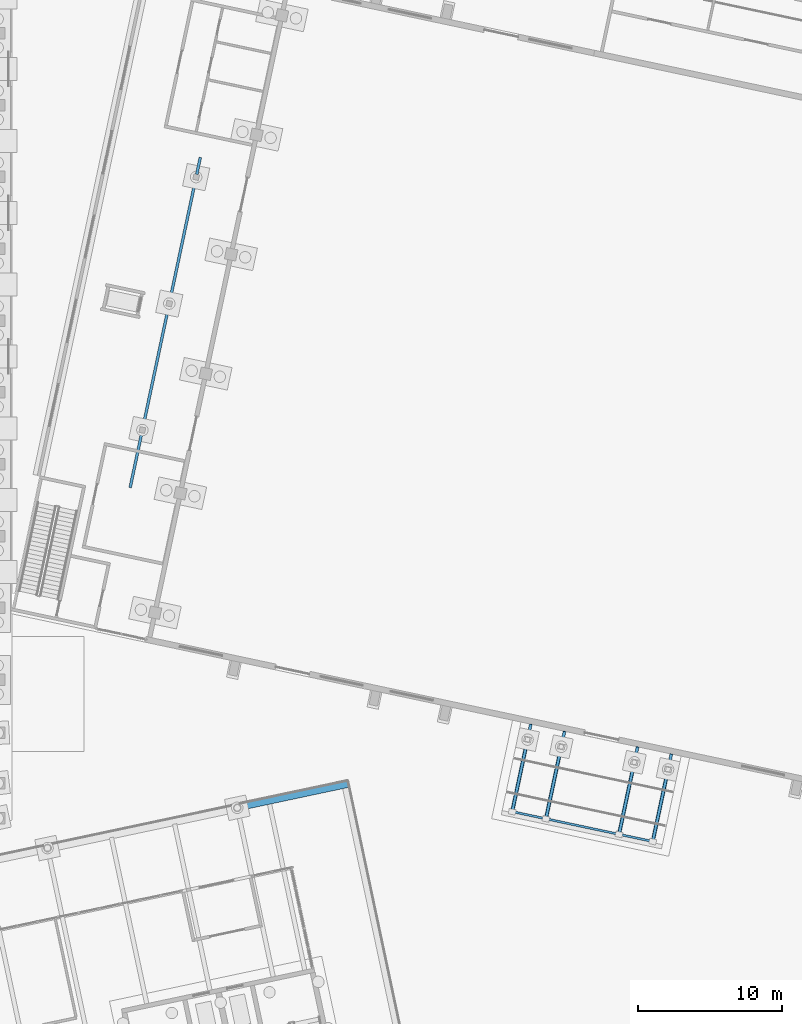
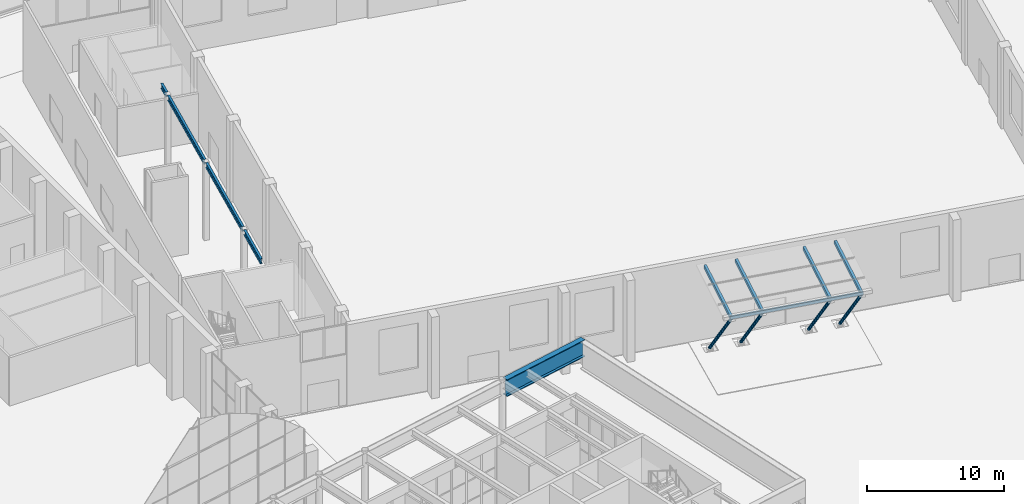
# One storey, part 125 of 239: 10 beams, 4 members.
"""IFC4 building model written with IfcOpenShell, lengths in metres."""

from ifc_helpers import new_model, si_unit, direction, frame, origin, origin_2d, place, context, subcontext, project, spatial, hollow_rectangle, hollow_circle, i_section, extrude, material, material_profile, profile_set, type_object, element, save


model = new_model("IFC4")

# Units and contexts
model_context = context("Model", 3, precision=1e-05, world=origin(), true_north=direction((0.0, 1.0)))
body_context = subcontext(model_context, "Body", "Model", "MODEL_VIEW")
ifc_project = project(units=[si_unit("LENGTHUNIT", "METRE"), si_unit("AREAUNIT", "SQUARE_METRE"), si_unit("VOLUMEUNIT", "CUBIC_METRE"), si_unit("PLANEANGLEUNIT", "RADIAN"), si_unit("MASSUNIT", "GRAM", prefix="KILO")], contexts=[model_context])

# Site, building, storey
site_placement = place(None, origin())
site = spatial("IfcSite", under=ifc_project, at=site_placement, CompositionType="ELEMENT")
building_placement = place(site_placement, origin())
building = spatial("IfcBuilding", under=site, at=building_placement, Name="Okhra Congress Centre", CompositionType="ELEMENT")
storey_placement = place(building_placement, origin())
storey = spatial("IfcBuildingStorey", under=building, at=storey_placement, Name="L00", CompositionType="ELEMENT", Elevation=0.0)

# Beams
ifc_material = material(Name="Steel S355J2", Category="steel")
ifc_material_profile_1 = material_profile(ifc_material, i_section(OverallWidth=0.449951171875, OverallDepth=1.5, WebThickness=0.030029296875, FlangeThickness=0.06005859375, at=origin_2d()), Name="Plate girder 1500x450")
ifc_profile_set_1 = profile_set([ifc_material_profile_1], Name="Steel S355J2")
beam_type_1 = type_object("IfcBeamType", Name="Cantilever plate girder 1500x450", PredefinedType="BEAM", material=ifc_profile_set_1)
beam_1_placement = place(storey_placement, frame((205.926025390625, 82.148193359375, 6.300048828125), z_axis=(0.978150572819, 0.207897707763, 0.0), x_axis=(-0.207897707763, 0.978150572819, 0.0)))
element("IfcBeam", 1, at=beam_1_placement, inside=storey, type_object=beam_type_1, Name="Cantilever girder N30", PredefinedType="BEAM", context=body_context, shape_type="SweptSolid", body=[
    extrude(i_section(OverallWidth=0.449951171875, OverallDepth=1.5, WebThickness=0.030029296875, FlangeThickness=0.06005859375, at=origin_2d()), origin(), (0.0, 0.0, 1.0), 7.64599609375),
])
ifc_material_profile_2 = material_profile(ifc_material, hollow_rectangle(XDim=0.199951171875, YDim=0.300048828125, WallThickness=0.010009765625, at=origin_2d()), Name="RHS 300x200x10")
ifc_profile_set_2 = profile_set([ifc_material_profile_2], Name="Steel S355J2")
beam_type_2 = type_object("IfcBeamType", Name="Steel canopy beam RHS 300x200x10", PredefinedType="BEAM", material=ifc_profile_set_2)
for number, where, z_axis, x_axis, name in (
    (2, (226.1083984375, 87.916015625, 6.49951171875), (-0.207428486545, -0.975761341825, -0.069736839406), (0.978142705526, -0.207934719625, 0.0), "Entrance canopy beam 1"),
    (3, (228.455810546875, 87.4169921875, 6.49951171875), (-0.207390589257, -0.975769356368, -0.069737412198), (0.978150778893, -0.207896738192, 0.0), "Entrance canopy beam 2"),
    (4, (233.542236328125, 86.3359375, 6.49951171875), (-0.207390589257, -0.975769356368, -0.069737412198), (0.978150778893, -0.207896738192, 0.0), "Entrance canopy beam 3"),
    (5, (235.889892578125, 85.8369140625, 6.49951171875), (-0.207428486545, -0.975761341825, -0.069736839406), (0.978142705526, -0.207934719625, 0.0), "Entrance canopy beam 4"),
):
    element("IfcBeam", number, at=place(storey_placement, frame(where, z_axis=z_axis, x_axis=x_axis)), inside=storey, type_object=beam_type_2, Name=name, PredefinedType="BEAM", context=body_context, shape_type="SweptSolid", body=[
        extrude(hollow_rectangle(XDim=0.199951171875, YDim=0.300048828125, WallThickness=0.010009765625, at=origin_2d()), origin(), (0.0, 0.0, 1.0), 6.1650390625),
    ])
ifc_material_profile_3 = material_profile(ifc_material, hollow_rectangle(XDim=0.14990234375, YDim=0.25, WallThickness=0.008056640625, at=origin_2d()), Name="RHS 250x150x8")
ifc_profile_set_3 = profile_set([ifc_material_profile_3], Name="Steel S355J2")
beam_type_3 = type_object("IfcBeamType", Name="Steel canopy edge beam RHS 250x150x8", PredefinedType="BEAM", material=ifc_profile_set_3)
beam_2_placement = place(storey_placement, frame((224.71630859375, 81.847900390625, 6.089599609375), z_axis=(0.978144370647, -0.2079268866, 0.0), x_axis=(0.2079268866, 0.978144370647, 0.0)))
element("IfcBeam", 6, at=beam_2_placement, inside=storey, type_object=beam_type_3, Name="Entrance canopy edge beam", PredefinedType="BEAM", context=body_context, shape_type="SweptSolid", body=[
    extrude(hollow_rectangle(XDim=0.14990234375, YDim=0.25, WallThickness=0.008056640625, at=origin_2d()), origin(), (0.0, 0.0, 1.0), 10.199951171875),
])
ifc_material_profile_4 = material_profile(ifc_material, i_section(OverallWidth=0.18994140625, OverallDepth=0.449951171875, WebThickness=0.009521484375, FlangeThickness=0.0146484375, at=origin_2d()), Name="IPE 450")
ifc_profile_set_4 = profile_set([ifc_material_profile_4], Name="Steel S355J2")
beam_type_4 = type_object("IfcBeamType", Name="Steel gallery edge beam IPE 450", PredefinedType="BEAM", material=ifc_profile_set_4)
beam_3_placement = place(storey_placement, frame((198.220703125, 104.373779296875, 6.72509765625), z_axis=(0.207899934746, 0.97815009949, 0.0), x_axis=(-0.97815009949, 0.207899934746, 0.0)))
element("IfcBeam", 7, at=beam_3_placement, inside=storey, type_object=beam_type_4, Name="Gallery edge beam 1", PredefinedType="BEAM", context=body_context, shape_type="SweptSolid", body=[
    extrude(i_section(OverallWidth=0.18994140625, OverallDepth=0.449951171875, WebThickness=0.009521484375, FlangeThickness=0.0146484375, at=origin_2d()), origin(), (0.0, 0.0, 1.0), 3.89990234375),
])
beam_4_placement = place(storey_placement, frame((199.11474609375, 108.579833984375, 6.72509765625), z_axis=(0.207915795165, 0.978146728319, 0.0), x_axis=(-0.978146728319, 0.207915795165, 0.0)))
element("IfcBeam", 8, at=beam_4_placement, inside=storey, type_object=beam_type_4, Name="Gallery edge beam 2", PredefinedType="BEAM", context=body_context, shape_type="SweptSolid", body=[
    extrude(i_section(OverallWidth=0.18994140625, OverallDepth=0.449951171875, WebThickness=0.009521484375, FlangeThickness=0.0146484375, at=origin_2d()), origin(), (0.0, 0.0, 1.0), 8.60009765625),
])
beam_5_placement = place(storey_placement, frame((200.98583984375, 117.38330078125, 6.72509765625), z_axis=(0.207921568708, 0.978145501071, 0.0), x_axis=(-0.978145501071, 0.207921568708, 0.0)))
element("IfcBeam", 9, at=beam_5_placement, inside=storey, type_object=beam_type_4, Name="Gallery edge beam 3", PredefinedType="BEAM", context=body_context, shape_type="SweptSolid", body=[
    extrude(i_section(OverallWidth=0.18994140625, OverallDepth=0.449951171875, WebThickness=0.009521484375, FlangeThickness=0.0146484375, at=origin_2d()), origin(), (0.0, 0.0, 1.0), 8.599853515625),
])
beam_6_placement = place(storey_placement, frame((202.857177734375, 126.1865234375, 6.72509765625), z_axis=(0.207917150959, 0.978146440129, 0.0), x_axis=(-0.978146440129, 0.207917150959, 0.0)))
element("IfcBeam", 10, at=beam_6_placement, inside=storey, type_object=beam_type_4, Name="Gallery edge beam 4", PredefinedType="BEAM", context=body_context, shape_type="SweptSolid", body=[
    extrude(i_section(OverallWidth=0.18994140625, OverallDepth=0.449951171875, WebThickness=0.009521484375, FlangeThickness=0.0146484375, at=origin_2d()), origin(), (0.0, 0.0, 1.0), 1.199951171875),
])

# Members
ifc_material_profile_5 = material_profile(ifc_material, hollow_circle(Radius=0.122314453125, WallThickness=0.010009765625, at=origin_2d()), Name="CHS 244.5x10")
ifc_profile_set_5 = profile_set([ifc_material_profile_5], Name="Steel S355J2")
member_type = type_object("IfcMemberType", Name="Steel raking strut CHS 244x10", PredefinedType="BRACE", material=ifc_profile_set_5)
member_1_placement = place(storey_placement, frame((225.879638671875, 86.840087890625, -0.02197265625), z_axis=(-0.134836326369, -0.634271314854, 0.761261495312), x_axis=(0.978142018955, -0.207937949288, 0.0)))
element("IfcMember", 11, at=member_1_placement, inside=storey, type_object=member_type, Name="Entrance canopy strut 1", PredefinedType="BRACE", context=body_context, shape_type="SweptSolid", body=[
    extrude(hollow_circle(Radius=0.122314453125, WallThickness=0.010009765625, at=origin_2d()), origin(), (0.0, 0.0, 1.0), 7.903564453125),
])
member_2_placement = place(storey_placement, frame((228.22705078125, 86.341064453125, -0.02197265625), z_axis=(-0.134805997453, -0.634273956396, 0.76126466573), x_axis=(0.978151707128, -0.207892370813, 0.0)))
element("IfcMember", 12, at=member_2_placement, inside=storey, type_object=member_type, Name="Entrance canopy strut 2", PredefinedType="BRACE", context=body_context, shape_type="SweptSolid", body=[
    extrude(hollow_circle(Radius=0.122314453125, WallThickness=0.010009765625, at=origin_2d()), origin(), (0.0, 0.0, 1.0), 7.9033203125),
])
for number, where, z_axis, x_axis, name in (
    (13, (233.3134765625, 85.260009765625, -0.02197265625), (-0.13480335621, -0.634292418979, 0.761249750332), (0.978153765864, -0.207882684047, 0.0), "Entrance canopy strut 3"),
    (14, (235.6611328125, 84.760986328125, -0.02197265625), (-0.134833684554, -0.634289777463, 0.761246580101), (0.978144078573, -0.207928260591, 0.0), "Entrance canopy strut 4"),
):
    element("IfcMember", number, at=place(storey_placement, frame(where, z_axis=z_axis, x_axis=x_axis)), inside=storey, type_object=member_type, Name=name, PredefinedType="BRACE", context=body_context, shape_type="SweptSolid", body=[
        extrude(hollow_circle(Radius=0.122314453125, WallThickness=0.010009765625, at=origin_2d()), origin(), (0.0, 0.0, 1.0), 7.903564453125),
    ])

save(model, "model.ifc")
